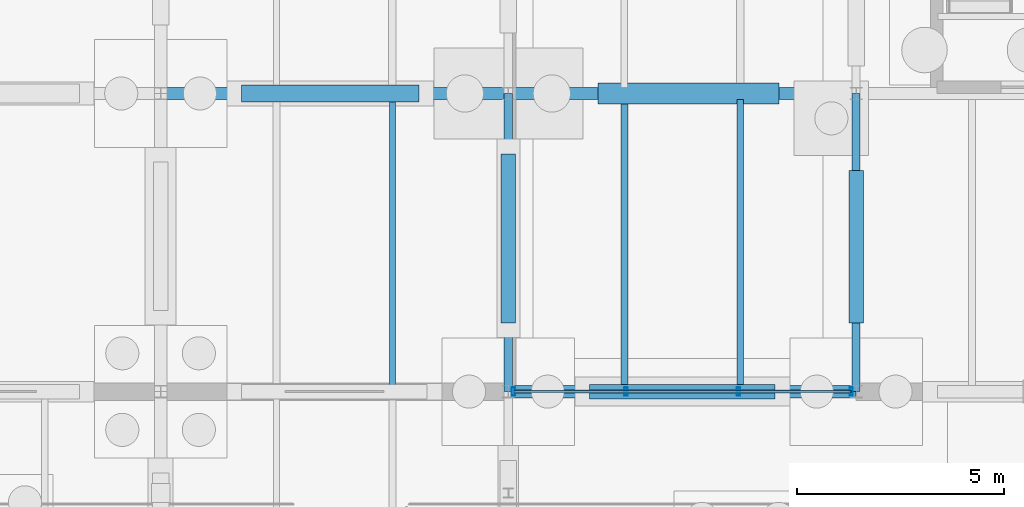
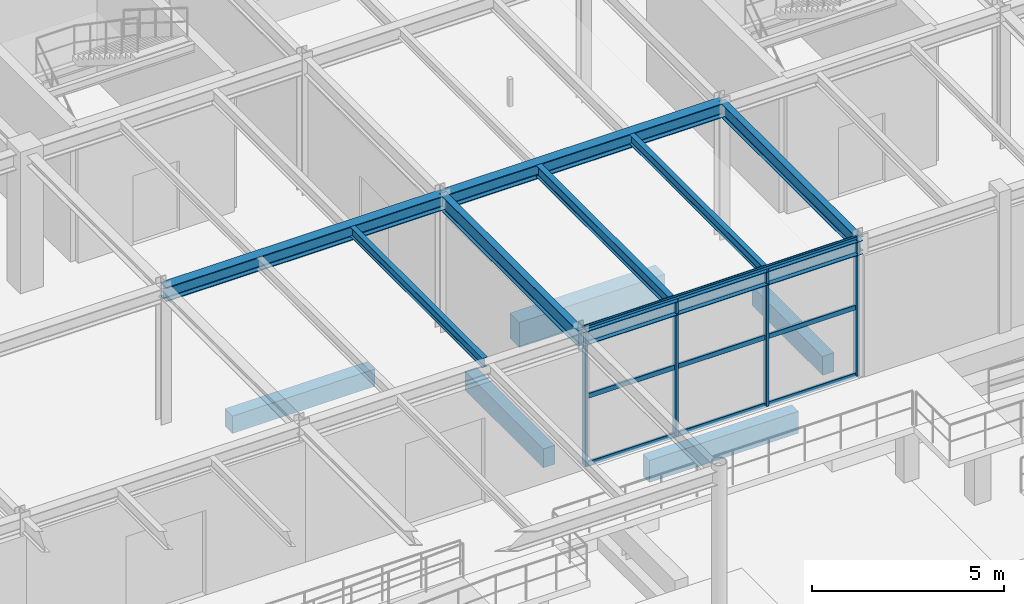
# One storey, part 36 of 93: 13 beams, 7 members, 1 element without a shape of its own.
"""IFC4 building model written with IfcOpenShell, lengths in metres."""

from ifc_helpers import new_model, si_unit, derived_unit, direction, frame, origin, origin_2d, place, context, subcontext, project, spatial, rectangle, hollow_rectangle, i_section, extrude, material, material_profile, profile_set, type_object, element, aggregate, save


model = new_model("IFC4")

# Units and contexts
model_context = context("Model", 3, precision=1e-05, world=origin(), true_north=direction((0.0, 1.0)))
body_context = subcontext(model_context, "Body", "Model", "MODEL_VIEW")
ifc_project = project(units=[si_unit("LENGTHUNIT", "METRE"), si_unit("AREAUNIT", "SQUARE_METRE"), si_unit("VOLUMEUNIT", "CUBIC_METRE"), si_unit("PLANEANGLEUNIT", "RADIAN"), si_unit("MASSUNIT", "GRAM", prefix="KILO"), derived_unit("THERMALTRANSMITTANCEUNIT", [(si_unit("MASSUNIT", "GRAM", prefix="KILO"), 1), (si_unit("TIMEUNIT", "SECOND"), -3), (si_unit("THERMODYNAMICTEMPERATUREUNIT", "KELVIN"), -1)])], contexts=[model_context])

# Site, building, storey
site_placement = place(None, origin())
site = spatial("IfcSite", under=ifc_project, at=site_placement, CompositionType="ELEMENT")
building_placement = place(site_placement, origin())
building = spatial("IfcBuilding", under=site, at=building_placement, Name="Kharveza Railside Sports Centre", CompositionType="ELEMENT")
storey_placement = place(building_placement, origin())
storey = spatial("IfcBuildingStorey", under=building, at=storey_placement, Name="L00", CompositionType="ELEMENT", Elevation=0.0)

# Beams
ifc_material_1 = material(Name="Steel S355J2", Category="steel")
ifc_material_profile_1 = material_profile(ifc_material_1, i_section(OverallWidth=0.199951171875, OverallDepth=0.5, WebThickness=0.01025390625, FlangeThickness=0.01611328125, FilletRadius=0.02099609375, at=origin_2d()), Name="IPE 500")
ifc_profile_set_1 = profile_set([ifc_material_profile_1], Name="Steel S355J2")
beam_type_1 = type_object("IfcBeamType", Name="BM-G03", PredefinedType="T_BEAM", material=ifc_profile_set_1)
beam_1_placement = place(storey_placement, frame((100.800048828125, 7.199951171875, 4.070068359375), z_axis=(0.0, 1.0, 0.0), x_axis=(-1.0, 0.0, 0.0)))
element("IfcBeam", 1, at=beam_1_placement, inside=storey, type_object=beam_type_1, Name="BM-NS-L00-B03-X1008-Y72", PredefinedType="T_BEAM", context=body_context, shape_type="SweptSolid", body=[
    extrude(i_section(OverallWidth=0.199951171875, OverallDepth=0.5, WebThickness=0.01025390625, FlangeThickness=0.01611328125, FilletRadius=0.02099609375, at=origin_2d()), origin(), (0.0, 0.0, 1.0), 7.199951171875),
])
ifc_material_profile_2 = material_profile(ifc_material_1, i_section(OverallWidth=0.18994140625, OverallDepth=0.449951171875, WebThickness=0.009521484375, FlangeThickness=0.0146484375, FilletRadius=0.02099609375, at=origin_2d()), Name="IPE 450")
ifc_profile_set_2 = profile_set([ifc_material_profile_2], Name="Steel S355J2")
beam_type_2 = type_object("IfcBeamType", Name="BM-G04", PredefinedType="T_BEAM", material=ifc_profile_set_2)
beam_2_placement = place(storey_placement, frame((109.199951171875, 7.199951171875, 4.094970703125), z_axis=(0.0, 1.0, 0.0), x_axis=(-1.0, 0.0, 0.0)))
element("IfcBeam", 2, at=beam_2_placement, inside=storey, type_object=beam_type_2, Name="BM-NS-L00-B04-X1092-Y72", PredefinedType="T_BEAM", context=body_context, shape_type="SweptSolid", body=[
    extrude(i_section(OverallWidth=0.18994140625, OverallDepth=0.449951171875, WebThickness=0.009521484375, FlangeThickness=0.0146484375, FilletRadius=0.02099609375, at=origin_2d()), origin(), (0.0, 0.0, 1.0), 7.199951171875),
])
ifc_material_profile_3 = material_profile(ifc_material_1, i_section(OverallWidth=0.300048828125, OverallDepth=0.449951171875, WebThickness=0.013916015625, FlangeThickness=0.02587890625, FilletRadius=0.027099609375, at=origin_2d()), Name="HEB 450")
ifc_profile_set_3 = profile_set([ifc_material_profile_3], Name="Steel S355J2")
beam_type_3 = type_object("IfcBeamType", Name="BM-G06", PredefinedType="T_BEAM", material=ifc_profile_set_3)
beam_3_placement = place(storey_placement, frame((92.39990234375, 14.39990234375, 4.094970703125), z_axis=(1.0, 0.0, 0.0), x_axis=(0.0, 1.0, 0.0)))
element("IfcBeam", 3, at=beam_3_placement, inside=storey, type_object=beam_type_3, Name="BM-EW-L00-B06-X924-Y144", PredefinedType="T_BEAM", context=body_context, shape_type="SweptSolid", body=[
    extrude(i_section(OverallWidth=0.300048828125, OverallDepth=0.449951171875, WebThickness=0.013916015625, FlangeThickness=0.02587890625, FilletRadius=0.027099609375, at=origin_2d()), origin(), (0.0, 0.0, 1.0), 8.400146484375),
])
beam_4_placement = place(storey_placement, frame((100.800048828125, 14.39990234375, 4.094970703125), z_axis=(1.0, 0.0, 0.0), x_axis=(0.0, 1.0, 0.0)))
element("IfcBeam", 4, at=beam_4_placement, inside=storey, type_object=beam_type_3, Name="BM-EW-L00-B06-X1008-Y144", PredefinedType="T_BEAM", context=body_context, shape_type="SweptSolid", body=[
    extrude(i_section(OverallWidth=0.300048828125, OverallDepth=0.449951171875, WebThickness=0.013916015625, FlangeThickness=0.02587890625, FilletRadius=0.027099609375, at=origin_2d()), origin(), (0.0, 0.0, 1.0), 8.39990234375),
])
ifc_material_2 = material(Name="Concrete C35/45", Category="concrete")
ifc_material_profile_4 = material_profile(ifc_material_2, rectangle(XDim=0.5, YDim=0.800048828125, at=origin_2d()), Name="RCB 500x800")
ifc_profile_set_4 = profile_set([ifc_material_profile_4], Name="Concrete C35/45")
beam_type_4 = type_object("IfcBeamType", Name="BM-RC01", PredefinedType="T_BEAM", material=ifc_profile_set_4)
beam_5_placement = place(storey_placement, frame((102.9599609375, 14.39990234375, -0.820068359375), z_axis=(1.0, 0.0, 0.0), x_axis=(0.0, 1.0, 0.0)))
element("IfcBeam", 5, at=beam_5_placement, inside=storey, type_object=beam_type_4, Name="BM-PLINTH-EW-B25-X1008-Y144-1", PredefinedType="T_BEAM", context=body_context, shape_type="SweptSolid", body=[
    extrude(rectangle(XDim=0.5, YDim=0.800048828125, at=origin_2d()), origin(), (0.0, 0.0, 1.0), 4.380126953125),
])
ifc_material_profile_5 = material_profile(ifc_material_2, rectangle(XDim=0.35009765625, YDim=0.699951171875, at=origin_2d()), Name="RCB 350x700")
ifc_profile_set_5 = profile_set([ifc_material_profile_5], Name="Concrete C35/45")
beam_type_5 = type_object("IfcBeamType", Name="BM-RC03", PredefinedType="SPANDREL", material=ifc_profile_set_5)
beam_6_placement = place(storey_placement, frame((102.760009765625, 7.199951171875, -0.77001953125), z_axis=(1.0, 0.0, 0.0), x_axis=(0.0, 1.0, 0.0)))
element("IfcBeam", 6, at=beam_6_placement, inside=storey, type_object=beam_type_5, Name="BM-PLINTH-EW-B27-X1008-Y72-1", PredefinedType="SPANDREL", context=body_context, shape_type="SweptSolid", body=[
    extrude(rectangle(XDim=0.35009765625, YDim=0.699951171875, at=origin_2d()), origin(), (0.0, 0.0, 1.0), 4.47998046875),
])
ifc_material_profile_6 = material_profile(ifc_material_2, rectangle(XDim=0.35009765625, YDim=0.60009765625, at=origin_2d()), Name="RCB 350x600")
ifc_profile_set_6 = profile_set([ifc_material_profile_6], Name="Concrete C35/45")
beam_type_6 = type_object("IfcBeamType", Name="BM-RC06", PredefinedType="BEAM", material=ifc_profile_set_6)
beam_7_placement = place(storey_placement, frame((100.800048828125, 8.860107421875, -0.719970703125), z_axis=(0.0, 1.0, 0.0), x_axis=(-1.0, 0.0, 0.0)))
element("IfcBeam", 7, at=beam_7_placement, inside=storey, type_object=beam_type_6, Name="BM-PLINTH-NS-B30-X1008-Y72-1", PredefinedType="BEAM", context=body_context, shape_type="SweptSolid", body=[
    extrude(rectangle(XDim=0.35009765625, YDim=0.60009765625, at=origin_2d()), origin(), (0.0, 0.0, 1.0), 4.079833984375),
])
beam_8_placement = place(storey_placement, frame((109.199951171875, 8.860107421875, -0.719970703125), z_axis=(0.0, 1.0, 0.0), x_axis=(-1.0, 0.0, 0.0)))
element("IfcBeam", 8, at=beam_8_placement, inside=storey, type_object=beam_type_6, Name="BM-PLINTH-NS-B30-X1092-Y72-1", PredefinedType="BEAM", context=body_context, shape_type="SweptSolid", body=[
    extrude(rectangle(XDim=0.35009765625, YDim=0.60009765625, at=origin_2d()), origin(), (0.0, 0.0, 1.0), 3.679931640625),
])
ifc_material_profile_7 = material_profile(ifc_material_2, rectangle(XDim=0.39990234375, YDim=0.550048828125, at=origin_2d()), Name="RCB 400x550")
ifc_profile_set_7 = profile_set([ifc_material_profile_7], Name="Concrete C35/45")
beam_type_7 = type_object("IfcBeamType", Name="BM-RC07", PredefinedType="LINTEL", material=ifc_profile_set_7)
beam_9_placement = place(storey_placement, frame((94.360107421875, 14.39990234375, -0.695068359375), z_axis=(1.0, 0.0, 0.0), x_axis=(0.0, 1.0, 0.0)))
element("IfcBeam", 9, at=beam_9_placement, inside=storey, type_object=beam_type_7, Name="BM-PLINTH-EW-B31-X924-Y144-1", PredefinedType="LINTEL", context=body_context, shape_type="SweptSolid", body=[
    extrude(rectangle(XDim=0.39990234375, YDim=0.550048828125, at=origin_2d()), origin(), (0.0, 0.0, 1.0), 4.27978515625),
])
ifc_material_profile_8 = material_profile(ifc_material_1, i_section(OverallWidth=0.169921875, OverallDepth=0.360107421875, WebThickness=0.008056640625, FlangeThickness=0.0126953125, FilletRadius=0.01806640625, at=origin_2d()), Name="IPE 360")
ifc_profile_set_8 = profile_set([ifc_material_profile_8], Name="Steel S355J2")
beam_type_8 = type_object("IfcBeamType", Name="BM-S02", PredefinedType="BEAM", material=ifc_profile_set_8)
beam_10_placement = place(storey_placement, frame((103.60009765625, 7.346923828125, 4.139892578125), z_axis=(0.0, 1.0, 0.0), x_axis=(-1.0, 0.0, 0.0)))
element("IfcBeam", 10, at=beam_10_placement, inside=storey, type_object=beam_type_8, Name="BM-SEC-L00-B10-X1036-Y72", PredefinedType="BEAM", context=body_context, shape_type="SweptSolid", body=[
    extrude(i_section(OverallWidth=0.169921875, OverallDepth=0.360107421875, WebThickness=0.008056640625, FlangeThickness=0.0126953125, FilletRadius=0.01806640625, at=origin_2d()), origin(), (0.0, 0.0, 1.0), 6.906005859375),
])
ifc_material_profile_9 = material_profile(ifc_material_1, i_section(OverallWidth=0.14990234375, OverallDepth=0.300048828125, WebThickness=0.007080078125, FlangeThickness=0.0107421875, FilletRadius=0.014892578125, at=origin_2d()), Name="IPE 300")
ifc_profile_set_9 = profile_set([ifc_material_profile_9], Name="Steel S355J2")
beam_type_9 = type_object("IfcBeamType", Name="BM-S04", PredefinedType="BEAM", material=ifc_profile_set_9)
for number, where, z_axis, x_axis, name in (
    (11, (98.0, 7.346923828125, 4.169921875), (0.0, 1.0, 0.0), (-1.0, 0.0, 0.0), "BM-SEC-L00-B12-X980-Y72"),
    (12, (106.39990234375, 7.346923828125, 4.169921875), (0.0, 1.0, 0.0), (-1.0, 0.0, 0.0), "BM-SEC-L00-B12-X1064-Y72"),
):
    element("IfcBeam", number, at=place(storey_placement, frame(where, z_axis=z_axis, x_axis=x_axis)), inside=storey, type_object=beam_type_9, Name=name, PredefinedType="BEAM", context=body_context, shape_type="SweptSolid", body=[
        extrude(i_section(OverallWidth=0.14990234375, OverallDepth=0.300048828125, WebThickness=0.007080078125, FlangeThickness=0.0107421875, FilletRadius=0.014892578125, at=origin_2d()), origin(), (0.0, 0.0, 1.0), 6.906005859375),
    ])
ifc_material_profile_10 = material_profile(ifc_material_1, i_section(OverallWidth=0.300048828125, OverallDepth=0.43994140625, WebThickness=0.011474609375, FlangeThickness=0.02099609375, FilletRadius=0.027099609375, at=origin_2d()), Name="HEA 450")
ifc_profile_set_10 = profile_set([ifc_material_profile_10], Name="Steel S355J2")
beam_type_10 = type_object("IfcBeamType", Name="BM-SP01", PredefinedType="SPANDREL", material=ifc_profile_set_10)
beam_11_placement = place(storey_placement, frame((100.800048828125, 7.199951171875, 4.10009765625), z_axis=(1.0, 0.0, 0.0), x_axis=(0.0, 1.0, 0.0)))
element("IfcBeam", 13, at=beam_11_placement, inside=storey, type_object=beam_type_10, Name="BM-EW-L00-B15-X1008-Y72", PredefinedType="SPANDREL", context=body_context, shape_type="SweptSolid", body=[
    extrude(i_section(OverallWidth=0.300048828125, OverallDepth=0.43994140625, WebThickness=0.011474609375, FlangeThickness=0.02099609375, FilletRadius=0.027099609375, at=origin_2d()), origin(), (0.0, 0.0, 1.0), 8.39990234375),
])

# Curtain wall, members
ifc_material_3 = material(Name="Low-E solar-control laminated glass", Category="glass")
curtain_wall_type = type_object("IfcCurtainWallType", Name="CW-WG03", PredefinedType="NOTDEFINED", material=ifc_material_3)
curtain_wall_placement = place(storey_placement, origin())
curtain_wall = element("IfcCurtainWall", 14, at=curtain_wall_placement, inside=storey, type_object=curtain_wall_type, Name="CW-WG-L00-CW-WG03-X1050-Y72", PredefinedType="NOTDEFINED")
ifc_material_4 = material(Name="Anodised aluminium 6063-T6", Category="aluminium")
ifc_material_profile_11 = material_profile(ifc_material_4, hollow_rectangle(XDim=0.080078125, YDim=0.199951171875, WallThickness=0.00634765625, InnerFilletRadius=0.00634765625, OuterFilletRadius=0.0126953125, at=origin_2d()), Name="RHS 80x200x6.3")
ifc_profile_set_11 = profile_set([ifc_material_profile_11], Name="Anodised aluminium 6063-T6")
member_type_1 = type_object("IfcMemberType", Name="CW-ML02", PredefinedType="MULLION", material=ifc_profile_set_11)
member_1_placement = place(storey_placement, frame((100.919921875, 7.199951171875, 0.0), z_axis=(0.0, 0.0, 1.0), x_axis=(1.0, 0.0, 0.0)))
member_1 = element("IfcMember", 15, at=member_1_placement, type_object=member_type_1, Name="CW-WG-L00-CW-WG03-X1050-Y72-ML1", PredefinedType="MULLION", context=body_context, shape_type="SweptSolid", body=[
    extrude(hollow_rectangle(XDim=0.080078125, YDim=0.199951171875, WallThickness=0.00634765625, InnerFilletRadius=0.00634765625, OuterFilletRadius=0.0126953125, at=origin_2d()), origin(), (0.0, 0.0, 1.0), 4.320068359375),
])
member_2_placement = place(storey_placement, frame((103.639892578125, 7.199951171875, 0.0), z_axis=(0.0, 0.0, 1.0), x_axis=(1.0, 0.0, 0.0)))
member_2 = element("IfcMember", 16, at=member_2_placement, type_object=member_type_1, Name="CW-WG-L00-CW-WG03-X1050-Y72-ML2", PredefinedType="MULLION", context=body_context, shape_type="SweptSolid", body=[
    extrude(hollow_rectangle(XDim=0.080078125, YDim=0.199951171875, WallThickness=0.00634765625, InnerFilletRadius=0.00634765625, OuterFilletRadius=0.0126953125, at=origin_2d()), origin(), (0.0, 0.0, 1.0), 4.320068359375),
])
member_3_placement = place(storey_placement, frame((106.360107421875, 7.199951171875, 0.0), z_axis=(0.0, 0.0, 1.0), x_axis=(1.0, 0.0, 0.0)))
member_3 = element("IfcMember", 17, at=member_3_placement, type_object=member_type_1, Name="CW-WG-L00-CW-WG03-X1050-Y72-ML3", PredefinedType="MULLION", context=body_context, shape_type="SweptSolid", body=[
    extrude(hollow_rectangle(XDim=0.080078125, YDim=0.199951171875, WallThickness=0.00634765625, InnerFilletRadius=0.00634765625, OuterFilletRadius=0.0126953125, at=origin_2d()), origin(), (0.0, 0.0, 1.0), 4.320068359375),
])
member_4_placement = place(storey_placement, frame((109.080078125, 7.199951171875, 0.0), z_axis=(0.0, 0.0, 1.0), x_axis=(1.0, 0.0, 0.0)))
member_4 = element("IfcMember", 18, at=member_4_placement, type_object=member_type_1, Name="CW-WG-L00-CW-WG03-X1050-Y72-ML4", PredefinedType="MULLION", context=body_context, shape_type="SweptSolid", body=[
    extrude(hollow_rectangle(XDim=0.080078125, YDim=0.199951171875, WallThickness=0.00634765625, InnerFilletRadius=0.00634765625, OuterFilletRadius=0.0126953125, at=origin_2d()), origin(), (0.0, 0.0, 1.0), 4.320068359375),
])
ifc_material_profile_12 = material_profile(ifc_material_4, hollow_rectangle(XDim=0.070068359375, YDim=0.159912109375, WallThickness=0.00634765625, InnerFilletRadius=0.00634765625, OuterFilletRadius=0.0126953125, at=origin_2d()), Name="RHS 70x160x6.3")
ifc_profile_set_12 = profile_set([ifc_material_profile_12], Name="Anodised aluminium 6063-T6")
member_type_2 = type_object("IfcMemberType", Name="CW-TR02", PredefinedType="USERDEFINED", material=ifc_profile_set_12)
member_5_placement = place(storey_placement, frame((100.919921875, 7.199951171875, 0.0), z_axis=(1.0, 0.0, 0.0), x_axis=(0.0, 1.0, 0.0)))
member_5 = element("IfcMember", 19, at=member_5_placement, type_object=member_type_2, Name="CW-WG-L00-CW-WG03-X1050-Y72-TR1", ObjectType="TRANSOM", PredefinedType="USERDEFINED", context=body_context, shape_type="SweptSolid", body=[
    extrude(hollow_rectangle(XDim=0.070068359375, YDim=0.159912109375, WallThickness=0.00634765625, InnerFilletRadius=0.00634765625, OuterFilletRadius=0.0126953125, at=origin_2d()), origin(), (0.0, 0.0, 1.0), 8.16015625),
])
member_6_placement = place(storey_placement, frame((100.919921875, 7.199951171875, 2.159912109375), z_axis=(1.0, 0.0, 0.0), x_axis=(0.0, 1.0, 0.0)))
member_6 = element("IfcMember", 20, at=member_6_placement, type_object=member_type_2, Name="CW-WG-L00-CW-WG03-X1050-Y72-TR2", ObjectType="TRANSOM", PredefinedType="USERDEFINED", context=body_context, shape_type="SweptSolid", body=[
    extrude(hollow_rectangle(XDim=0.070068359375, YDim=0.159912109375, WallThickness=0.00634765625, InnerFilletRadius=0.00634765625, OuterFilletRadius=0.0126953125, at=origin_2d()), origin(), (0.0, 0.0, 1.0), 8.16015625),
])
member_7_placement = place(storey_placement, frame((100.919921875, 7.199951171875, 4.320068359375), z_axis=(1.0, 0.0, 0.0), x_axis=(0.0, 1.0, 0.0)))
member_7 = element("IfcMember", 21, at=member_7_placement, type_object=member_type_2, Name="CW-WG-L00-CW-WG03-X1050-Y72-TR3", ObjectType="TRANSOM", PredefinedType="USERDEFINED", context=body_context, shape_type="SweptSolid", body=[
    extrude(hollow_rectangle(XDim=0.070068359375, YDim=0.159912109375, WallThickness=0.00634765625, InnerFilletRadius=0.00634765625, OuterFilletRadius=0.0126953125, at=origin_2d()), origin(), (0.0, 0.0, 1.0), 8.16015625),
])
aggregate(curtain_wall, [member_1, member_2, member_3, member_4, member_5, member_6, member_7])

save(model, "model.ifc")
